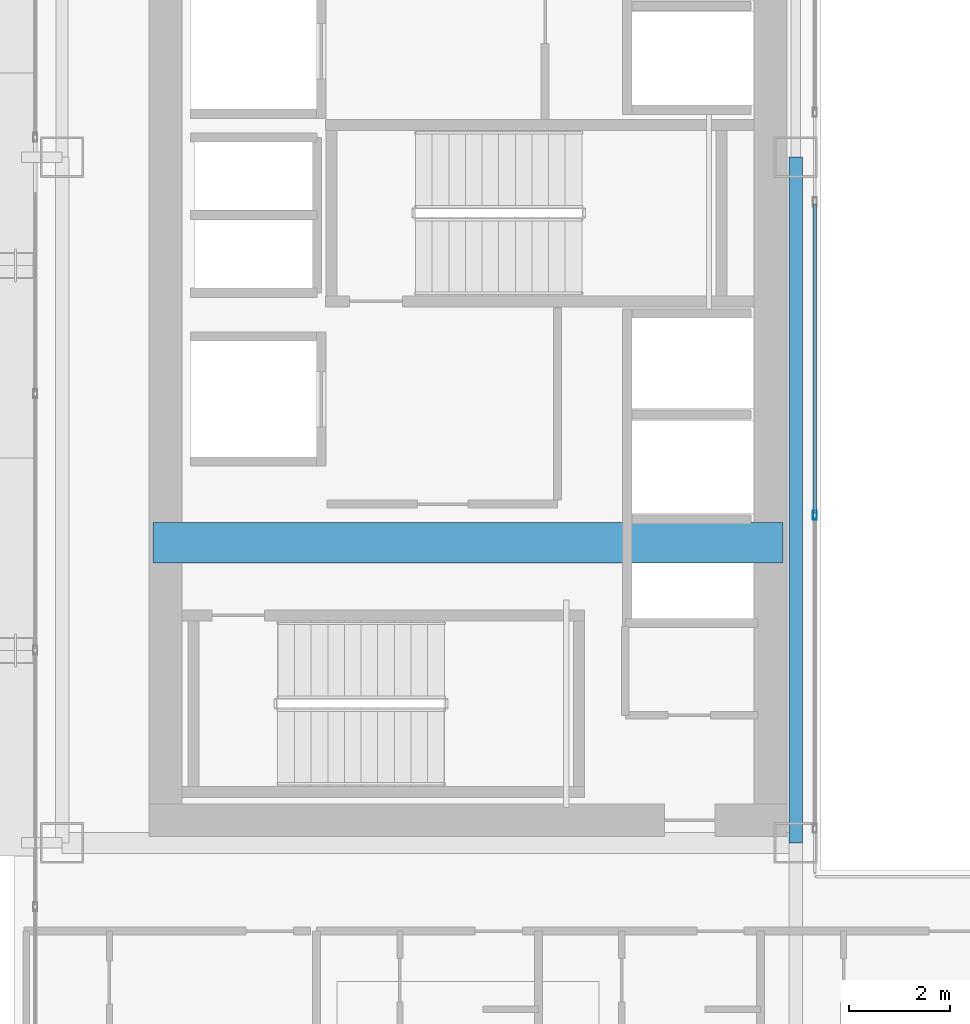
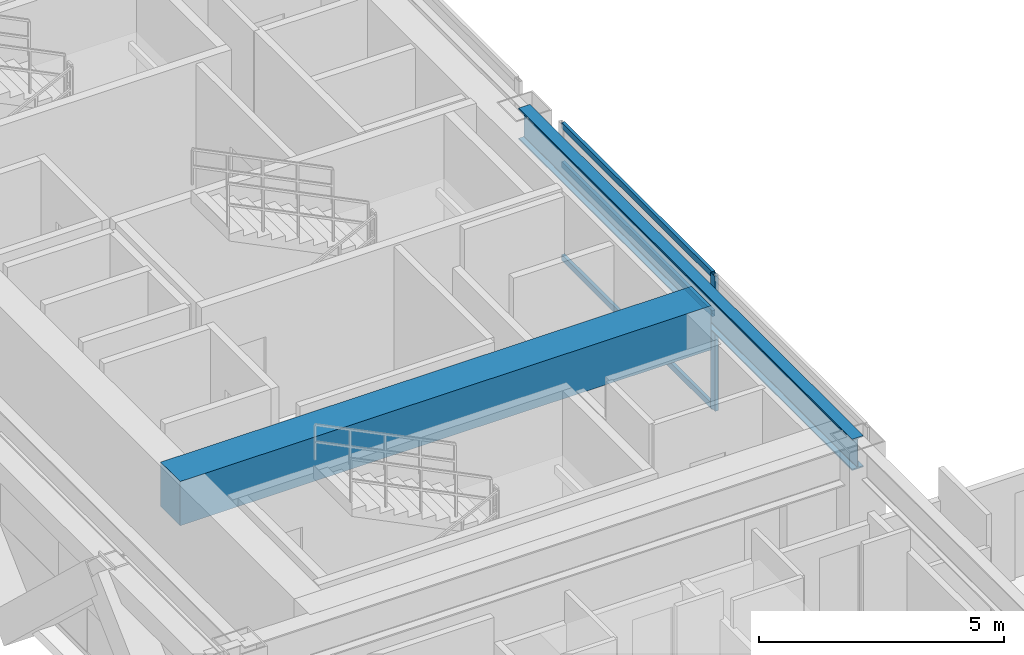
# One storey, part 8 of 39: 4 members, 2 beams, 1 element without a shape of its own.
"""IFC4 building model written with IfcOpenShell, lengths in metres."""

from ifc_helpers import new_model, si_unit, direction, frame, origin, origin_2d, place, context, subcontext, project, spatial, rectangle, hollow_rectangle, i_section, extrude, source, transform, mapped, material, layer, layer_set, material_profile, profile_set, type_object, element, aggregate, save


model = new_model("IFC4")

# Units and contexts
model_context = context("Model", 3, precision=1e-05, world=origin(), true_north=direction((0.0, 1.0)))
body_context = subcontext(model_context, "Body", "Model", "MODEL_VIEW")
ifc_project = project(units=[si_unit("LENGTHUNIT", "METRE"), si_unit("AREAUNIT", "SQUARE_METRE"), si_unit("VOLUMEUNIT", "CUBIC_METRE"), si_unit("PLANEANGLEUNIT", "RADIAN"), si_unit("MASSUNIT", "GRAM", prefix="KILO")], contexts=[model_context])

# Site, building, storey
site_placement = place(None, origin())
site = spatial("IfcSite", under=ifc_project, at=site_placement, CompositionType="ELEMENT")
building_placement = place(site_placement, origin())
building = spatial("IfcBuilding", under=site, at=building_placement, Name="Ocotamira Hotel", CompositionType="ELEMENT")
storey_placement = place(building_placement, frame((0.0, 0.0, 104.39990234375)))
storey = spatial("IfcBuildingStorey", under=building, at=storey_placement, Name="L25", CompositionType="ELEMENT", Elevation=104.39990234375)

# Beams
ifc_material_1 = material(Name="Concrete C60/75", Category="concrete")
ifc_material_profile_1 = material_profile(ifc_material_1, rectangle(XDim=0.800048828125, YDim=1.10009765625, at=origin_2d()), Name="RC800X1100")
ifc_profile_set_1 = profile_set([ifc_material_profile_1], Name="Concrete C60/75")
beam_type_1 = type_object("IfcBeamType", Name="BM-LINK-RC800", PredefinedType="LINTEL", material=ifc_profile_set_1)
shared_shape_1 = source(origin(), body_context, "Body", "SweptSolid", [
    extrude(rectangle(XDim=0.800048828125, YDim=1.10009765625, at=origin_2d()), origin(), (0.0, 0.0, 1.0), 12.5),
])
beam_1_placement = place(storey_placement, frame((10.75, 20.5, 2.81005859375), z_axis=(1.0, 0.0, 0.0), x_axis=(0.0, 1.0, 0.0)))
element("IfcBeam", 1, at=beam_1_placement, inside=storey, type_object=beam_type_1, Name="L25 West Core Coupling Beam", PredefinedType="LINTEL", context=body_context, shape_type="MappedRepresentation", body=[
    mapped(shared_shape_1, transform((0.0, 0.0, 0.0), scale=1.0)),
])
ifc_material_2 = material(Name="Steel ASTM A992 Grade 50", Category="steel")
ifc_material_profile_2 = material_profile(ifc_material_2, i_section(OverallWidth=0.26611328125, OverallDepth=0.779052734375, WebThickness=0.0166015625, FlangeThickness=0.030029296875, FilletRadius=0.01806640625, at=origin_2d()), Name="W30X148")
ifc_profile_set_2 = profile_set([ifc_material_profile_2], Name="Steel ASTM A992 Grade 50")
beam_type_2 = type_object("IfcBeamType", Name="BM-GIRD-W30X148", PredefinedType="BEAM", material=ifc_profile_set_2)
shared_shape_2 = source(origin(), body_context, "Body", "SweptSolid", [
    extrude(i_section(OverallWidth=0.26611328125, OverallDepth=0.779052734375, WebThickness=0.0166015625, FlangeThickness=0.030029296875, FilletRadius=0.01806640625, at=origin_2d()), origin(), (0.0, 0.0, 1.0), 13.599853515625),
])
beam_2_placement = place(storey_placement, frame((23.5, 14.550048828125, 2.970703125), z_axis=(0.0, 1.0, 0.0), x_axis=(-1.0, 0.0, 0.0)))
element("IfcBeam", 2, at=beam_2_placement, inside=storey, type_object=beam_type_2, Name="L25 Beam X23.5 Y14.55-28.15", PredefinedType="BEAM", context=body_context, shape_type="MappedRepresentation", body=[
    mapped(shared_shape_2, transform((0.0, 0.0, 0.0), scale=1.0)),
])

# Curtain wall, members
ifc_material_3 = material(Name="Anodised pale-metal aluminium and solar glass", Category="aluminium")
ifc_layer = layer(ifc_material_3, 0.159912109375)
ifc_layer_set = layer_set([ifc_layer], Name="Anodised pale-metal aluminium and solar glass")
curtain_wall_type = type_object("IfcCurtainWallType", Name="CW-SYS6-ATR", PredefinedType="NOTDEFINED", material=ifc_layer_set)
curtain_wall_placement = place(storey_placement, origin())
curtain_wall = element("IfcCurtainWall", 3, at=curtain_wall_placement, inside=storey, type_object=curtain_wall_type, Name="L25 Curtain Wall CW-6 CW-L25-ATRW1", PredefinedType="NOTDEFINED")
ifc_material_4 = material(Name="Anodised pale-metal aluminium 6063-T6", Category="aluminium")
ifc_material_profile_3 = material_profile(ifc_material_4, hollow_rectangle(XDim=0.074951171875, YDim=0.14990234375, WallThickness=0.006103515625, at=origin_2d()), Name="HSS150X75X6")
ifc_profile_set_3 = profile_set([ifc_material_profile_3], Name="Anodised pale-metal aluminium 6063-T6")
member_type_1 = type_object("IfcMemberType", Name="CWT-150X75", PredefinedType="USERDEFINED", material=ifc_profile_set_3)
shared_shape_3 = source(origin(), body_context, "Body", "SweptSolid", [
    extrude(hollow_rectangle(XDim=0.074951171875, YDim=0.14990234375, WallThickness=0.006103515625, at=origin_2d()), origin(), (0.0, 0.0, 1.0), 6.1298828125),
])
member_1_placement = place(storey_placement, frame((23.8798828125, 21.090087890625, 0.03759765625), z_axis=(0.0, 1.0, 0.0), x_axis=(-1.0, 0.0, 0.0)))
member_1 = element("IfcMember", 4, at=member_1_placement, type_object=member_type_1, Name="CW-6 transom 2.1", ObjectType="TRANSOM", PredefinedType="USERDEFINED", context=body_context, shape_type="MappedRepresentation", body=[
    mapped(shared_shape_3, transform((0.0, 0.0, 0.0), scale=1.0)),
])
member_2_placement = place(storey_placement, frame((23.8798828125, 21.090087890625, 2.35009765625), z_axis=(0.0, 1.0, 0.0), x_axis=(-1.0, 0.0, 0.0)))
member_2 = element("IfcMember", 5, at=member_2_placement, type_object=member_type_1, Name="CW-6 transom 2.2", ObjectType="TRANSOM", PredefinedType="USERDEFINED", context=body_context, shape_type="MappedRepresentation", body=[
    mapped(shared_shape_3, transform((0.0, 0.0, 0.0), scale=1.0)),
])
member_3_placement = place(storey_placement, frame((23.8798828125, 21.090087890625, 3.322509765625), z_axis=(0.0, 1.0, 0.0), x_axis=(-1.0, 0.0, 0.0)))
member_3 = element("IfcMember", 6, at=member_3_placement, type_object=member_type_1, Name="CW-6 transom 2.3", ObjectType="TRANSOM", PredefinedType="USERDEFINED", context=body_context, shape_type="MappedRepresentation", body=[
    mapped(shared_shape_3, transform((0.0, 0.0, 0.0), scale=1.0)),
])
ifc_material_profile_4 = material_profile(ifc_material_4, hollow_rectangle(XDim=0.080078125, YDim=0.179931640625, WallThickness=0.006103515625, at=origin_2d()), Name="HSS180X80X6")
ifc_profile_set_4 = profile_set([ifc_material_profile_4], Name="Anodised pale-metal aluminium 6063-T6")
member_type_2 = type_object("IfcMemberType", Name="CWM-180X75", PredefinedType="MULLION", material=ifc_profile_set_4)
shared_shape_4 = source(origin(), body_context, "Body", "SweptSolid", [
    extrude(hollow_rectangle(XDim=0.080078125, YDim=0.179931640625, WallThickness=0.006103515625, at=origin_2d()), origin(), (0.0, 0.0, 1.0), 3.360107421875),
])
member_4_placement = place(storey_placement, frame((23.8798828125, 21.050048828125, 0.0), z_axis=(0.0, 0.0, 1.0), x_axis=(-1.0, 0.0, 0.0)))
member_4 = element("IfcMember", 7, at=member_4_placement, type_object=member_type_2, Name="CW-6 mullion 2", PredefinedType="MULLION", context=body_context, shape_type="MappedRepresentation", body=[
    mapped(shared_shape_4, transform((0.0, 0.0, 0.0), scale=1.0)),
])
aggregate(curtain_wall, [member_4, member_1, member_2, member_3])

save(model, "model.ifc")
